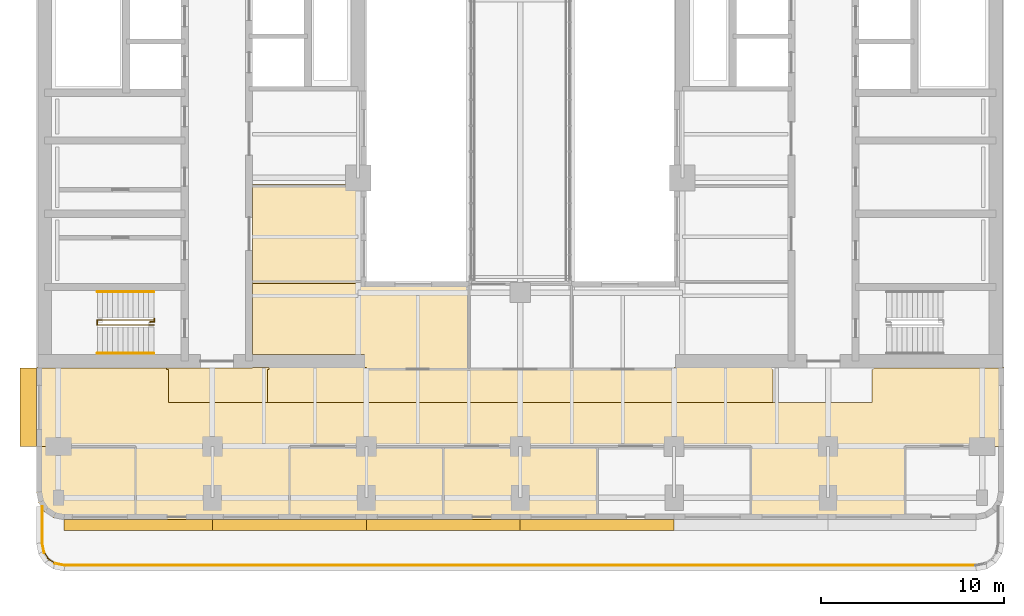
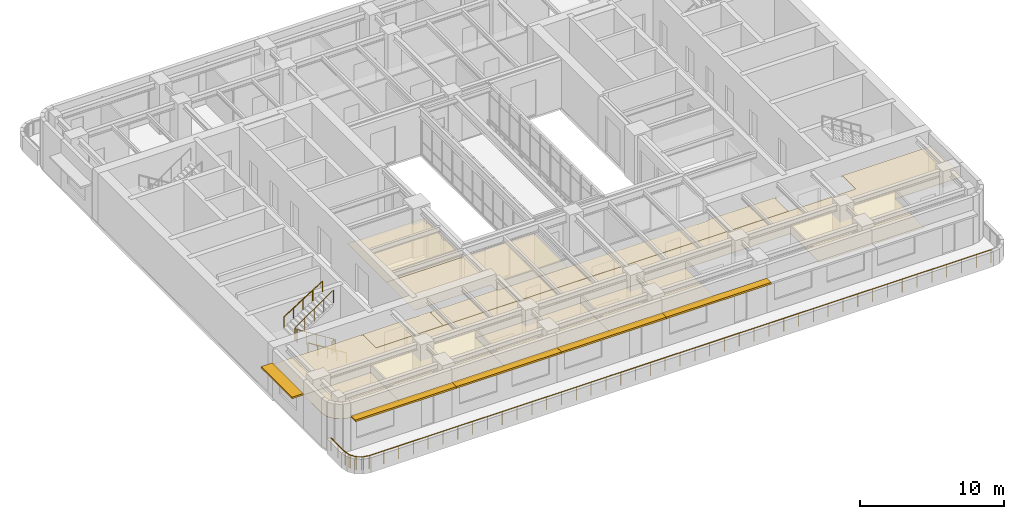
# One storey, part 12 of 15: 10 railings, 8 coverings, 5 shading devices.
"""IFC4 building model written with IfcOpenShell, lengths in metres."""

import ifcopenshell
import ifcopenshell.guid

model = None  # the IFC model being written
_history = None  # IfcOwnerHistory: only IFC2X3 demands one
_inside = {}  # id of a spatial element -> (the spatial element, [elements in it])
_under = {}  # id of a project, library or spatial element -> (it, [spatial elements below it])
_declared = {}  # id of a project -> (the project, [libraries it declares])
_typed = {}  # id of a type object -> (the type object, [elements of that type])
_made_of = {}  # id of a material, layer set ... -> (it, [elements and type objects made of it])


def new_model(schema):
    """Start an empty IFC model of exactly this schema.

    Asked for "IFC4X3", IfcOpenShell would pick the latest addendum, in which some entities
    have other attributes; the version numbers below select the first issue.
    IFC2X3 requires an IfcOwnerHistory on every rooted entity: one is made here for all.
    """
    global model, _history
    if schema == "IFC4X3":
        model = ifcopenshell.file(schema_version=(4, 3, 0, 0))
    else:
        model = ifcopenshell.file(schema=schema)
    _inside.clear()
    _under.clear()
    _declared.clear()
    _typed.clear()
    _made_of.clear()
    _history = None
    if model.schema == "IFC2X3":
        org = make("IfcOrganization", Name="unknown")
        user = make(
            "IfcPersonAndOrganization",
            ThePerson=make("IfcPerson", FamilyName="unknown"),
            TheOrganization=org,
        )
        app = make(
            "IfcApplication",
            ApplicationDeveloper=org,
            Version="unknown",
            ApplicationFullName="unknown",
            ApplicationIdentifier="unknown",
        )
        _history = make(
            "IfcOwnerHistory",
            OwningUser=user,
            OwningApplication=app,
            ChangeAction="ADDED",
            CreationDate=0,
        )
    return model


def make(cls, **values):
    """One entity of the class cls with the attributes given. An attribute that is None is left unset."""
    return model.create_entity(
        cls, **{name: value for name, value in values.items() if value is not None}
    )


def rooted(cls, **values):
    """An entity with a GlobalId (a new one), such as an element, a storey or a relation."""
    return make(cls, GlobalId=ifcopenshell.guid.new(), OwnerHistory=_history, **values)


def si_unit(unit_type, name, prefix=None):
    """IfcSIUnit, for example si_unit("LENGTHUNIT", "METRE", prefix="MILLI")."""
    return make("IfcSIUnit", UnitType=unit_type, Prefix=prefix, Name=name)


def assignment(units):
    """IfcUnitAssignment: the units of a project."""
    return None if units is None else make("IfcUnitAssignment", Units=units)


def point(xyz):
    """IfcCartesianPoint."""
    return None if xyz is None else make("IfcCartesianPoint", Coordinates=xyz)


def direction(xyz):
    """IfcDirection."""
    return None if xyz is None else make("IfcDirection", DirectionRatios=xyz)


def frame(location, z_axis=None, x_axis=None):
    """IfcAxis2Placement3D, a coordinate frame: its origin and axes. An axis left out is left unset."""
    return make(
        "IfcAxis2Placement3D",
        Location=point(location),
        Axis=direction(z_axis),
        RefDirection=direction(x_axis),
    )


def frame_2d(location, x_axis=None):
    """IfcAxis2Placement2D, a coordinate frame in the plane: its origin and x axis."""
    return make(
        "IfcAxis2Placement2D", Location=point(location), RefDirection=direction(x_axis)
    )


def origin():
    """The frame at (0, 0, 0) with its axes left unset."""
    return frame((0.0, 0.0, 0.0))


def origin_2d():
    """The frame at (0, 0) in the plane with its x axis left unset."""
    return frame_2d((0.0, 0.0))


def place(relative_to, where):
    """IfcLocalPlacement: puts the frame where relative to a parent placement (None: the world)."""
    return make(
        "IfcLocalPlacement", PlacementRelTo=relative_to, RelativePlacement=where
    )


def context(
    kind, dimensions, precision=None, world=None, true_north=None, identifier=None
):
    """IfcGeometricRepresentationContext, for example the 3D "Model" context."""
    return make(
        "IfcGeometricRepresentationContext",
        ContextIdentifier=identifier,
        ContextType=kind,
        CoordinateSpaceDimension=dimensions,
        Precision=precision,
        WorldCoordinateSystem=world,
        TrueNorth=true_north,
    )


def subcontext(parent, identifier, kind, view, scale=None):
    """IfcGeometricRepresentationSubContext, for example "Body" below "Model"."""
    return make(
        "IfcGeometricRepresentationSubContext",
        ContextIdentifier=identifier,
        ContextType=kind,
        ParentContext=parent,
        TargetScale=scale,
        TargetView=view,
    )


def project(units=None, contexts=None):
    """IfcProject with its units and contexts."""
    return rooted(
        "IfcProject",
        Name="project",
        RepresentationContexts=contexts,
        UnitsInContext=assignment(units),
    )


def spatial(cls, under=None, at=None, **own):
    """A site, building, storey or space (cls), placed at a placement, below another one or the project."""
    s = rooted(cls, ObjectPlacement=at, **own)
    if under is not None:
        _under.setdefault(under.id(), (under, []))[1].append(s)
    return s


def polyline(points):
    """IfcPolyline through the points."""
    return make("IfcPolyline", Points=[point(p) for p in points])


def profile(cls, at=None, kind="AREA", **sizes):
    """A parametric profile (cls). Its sizes go by their IFC names, for example OverallWidth=200.0."""
    return make(cls, ProfileType=kind, Position=at, **sizes)


def rectangle(**sizes):
    """IfcRectangleProfileDef."""
    return profile("IfcRectangleProfileDef", **sizes)


def circle(**sizes):
    """IfcCircleProfileDef."""
    return profile("IfcCircleProfileDef", **sizes)


def outline(outer, holes=None, kind="AREA"):
    """IfcArbitraryClosedProfileDef: a profile drawn as a closed curve; with holes, ...WithVoids."""
    if holes is None:
        return make("IfcArbitraryClosedProfileDef", ProfileType=kind, OuterCurve=outer)
    return make(
        "IfcArbitraryProfileDefWithVoids",
        ProfileType=kind,
        OuterCurve=outer,
        InnerCurves=holes,
    )


def extrude(swept, where, along, depth):
    """IfcExtrudedAreaSolid: the profile swept, set in the frame where, extruded along a direction by depth."""
    return make(
        "IfcExtrudedAreaSolid",
        SweptArea=swept,
        Position=where,
        ExtrudedDirection=direction(along),
        Depth=depth,
    )


def shape(context_of_items, identifier, shape_type, items):
    """IfcShapeRepresentation: the items that make up one representation, for example the "Body"."""
    return make(
        "IfcShapeRepresentation",
        ContextOfItems=context_of_items,
        RepresentationIdentifier=identifier,
        RepresentationType=shape_type,
        Items=items,
    )


def material(Name=None, Category=None):
    """IfcMaterial."""
    return make("IfcMaterial", Name=Name, Category=Category)


def layer(
    of_material, thickness, ventilated=None, Name=None, Category=None, Priority=None
):
    """IfcMaterialLayer: one layer of a wall or slab, of a material (None: an air gap)."""
    return make(
        "IfcMaterialLayer",
        Material=of_material,
        LayerThickness=thickness,
        IsVentilated=ventilated,
        Name=Name,
        Category=Category,
        Priority=Priority,
    )


def layer_set(layers, Name=None):
    """IfcMaterialLayerSet."""
    return make("IfcMaterialLayerSet", MaterialLayers=layers, LayerSetName=Name)


def made_of(thing, what):
    """Note that an element or type object is made of a material, layer set ...; save() writes the relation."""
    if what is not None:
        _made_of.setdefault(what.id(), (what, []))[1].append(thing)
    return thing


def type_object(cls, material=None, **own):
    """A type object (cls), such as IfcWallType, which elements share."""
    return made_of(rooted(cls, **own), material)


def element(
    cls,
    number,
    at=None,
    inside=None,
    cuts=None,
    type_object=None,
    material=None,
    context=None,
    identifier="Body",
    shape_type=None,
    held_by="IfcProductDefinitionShape",
    body=None,
    shapes=None,
    **own,
):
    """One element of the class cls, such as IfcWall. Its Tag is "e" and its number.

    at: its placement. inside: the storey or other place that contains it. cuts: it is an
    opening in that element (IfcRelVoidsElement). A single representation is given by context,
    identifier, shape_type and body (its items); several are given by shapes. held_by: the class
    of the entity that holds the representations. save() writes the other relations.
    """
    e = rooted(cls, Tag="e%d" % number, ObjectPlacement=at, **own)
    if body is not None:
        shapes = [shape(context, identifier, shape_type, body)]
    if shapes is not None:
        e.Representation = make(held_by, Representations=shapes)
    if inside is not None:
        _inside.setdefault(inside.id(), (inside, []))[1].append(e)
    if cuts is not None:
        rooted(
            "IfcRelVoidsElement", RelatingBuildingElement=cuts, RelatedOpeningElement=e
        )
    if type_object is not None:
        _typed.setdefault(type_object.id(), (type_object, []))[1].append(e)
    return made_of(e, material)


def aggregate(whole, parts):
    """IfcRelAggregates: a whole, such as a stair, and the parts it consists of."""
    return rooted("IfcRelAggregates", RelatingObject=whole, RelatedObjects=parts)


def save(model, path):
    """Write the relations noted so far, then the file.

    IfcRelAggregates (storeys below a building ...), IfcRelContainedInSpatialStructure (elements
    in a storey), IfcRelDefinesByType, IfcRelAssociatesMaterial and IfcRelDeclares: one each for
    every whole, place, type object, material and project.
    """
    for whole, parts in _under.values():
        aggregate(whole, parts)
    for where, things in _inside.values():
        rooted(
            "IfcRelContainedInSpatialStructure",
            RelatedElements=things,
            RelatingStructure=where,
        )
    for kind, things in _typed.values():
        rooted("IfcRelDefinesByType", RelatedObjects=things, RelatingType=kind)
    for what, things in _made_of.values():
        rooted("IfcRelAssociatesMaterial", RelatedObjects=things, RelatingMaterial=what)
    for by, libraries in _declared.values():
        rooted("IfcRelDeclares", RelatingContext=by, RelatedDefinitions=libraries)
    model.write(path)


model = new_model("IFC4")

# Units and contexts
model_context = context("Model", 3, precision=1e-05, world=origin(), true_north=direction((0.0, 1.0)))
body_context = subcontext(model_context, "Body", "Model", "MODEL_VIEW")
ifc_project = project(units=[si_unit("LENGTHUNIT", "METRE"), si_unit("AREAUNIT", "SQUARE_METRE"), si_unit("VOLUMEUNIT", "CUBIC_METRE"), si_unit("PLANEANGLEUNIT", "RADIAN"), si_unit("MASSUNIT", "GRAM", prefix="KILO")], contexts=[model_context])

# Site, building, storey
site_placement = place(None, origin())
site = spatial("IfcSite", under=ifc_project, at=site_placement, CompositionType="ELEMENT")
building_placement = place(site_placement, origin())
building = spatial("IfcBuilding", under=site, at=building_placement, Name="Claustro Exchange Tower", CompositionType="ELEMENT")
storey_placement = place(building_placement, frame((0.0, 0.0, 173.39990234375)))
storey = spatial("IfcBuildingStorey", under=building, at=storey_placement, Name="L39", CompositionType="ELEMENT", Elevation=173.39990234375)

# Coverings
ifc_material_1 = material(Name="Perforated metal ceiling tiles", Category="steel")
ifc_layer_1 = layer(ifc_material_1, 0.030029296875)
ifc_layer_set_1 = layer_set([ifc_layer_1], Name="Perforated metal ceiling tiles")
covering_type_1 = type_object("IfcCoveringType", Name="CL1 suspended metal ceiling", PredefinedType="CEILING", material=ifc_layer_set_1)
covering_1_placement = place(storey_placement, frame((0.0, 0.0, 2.800048828125)))
element("IfcCovering", 1, at=covering_1_placement, inside=storey, type_object=covering_type_1, Name="Ceiling CL1 L39-08", PredefinedType="CEILING", context=body_context, shape_type="SweptSolid", body=[
    extrude(outline(polyline([(11.39990234375, 10.800048828125), (11.39990234375, 12.60009765625), (11.4951171875, 12.60009765625), (11.4951171875, 12.695068359375), (10.60009765625, 12.695068359375), (10.60009765625, 12.675048828125), (5.905029296875, 12.675048828125), (5.905029296875, 12.60009765625), (6.0, 12.60009765625), (6.0, 10.800048828125), (11.39990234375, 10.800048828125)])), origin(), (0.0, 0.0, 1.0), 0.030029296875),
])
covering_2_placement = place(storey_placement, frame((0.0, 0.0, 2.800048828125)))
element("IfcCovering", 2, at=covering_2_placement, inside=storey, type_object=covering_type_1, Name="Ceiling CL1 L39-09", PredefinedType="CEILING", context=body_context, shape_type="SweptSolid", body=[
    extrude(outline(polyline([(11.39990234375, 12.60009765625), (11.39990234375, 10.800048828125), (39.0, 10.800048828125), (39.0, 12.60009765625), (39.094970703125, 12.60009765625), (39.094970703125, 12.695068359375), (33.60009765625, 12.695068359375), (33.60009765625, 12.60009765625), (16.800048828125, 12.60009765625), (16.800048828125, 12.695068359375), (11.304931640625, 12.695068359375), (11.304931640625, 12.60009765625), (11.39990234375, 12.60009765625)])), origin(), (0.0, 0.0, 1.0), 0.030029296875),
])
ifc_material_2 = material(Name="Gypsum board ceiling", Category="gypsum board")
ifc_layer_2 = layer(ifc_material_2, 0.02490234375)
ifc_layer_set_2 = layer_set([ifc_layer_2], Name="Gypsum board ceiling")
covering_type_2 = type_object("IfcCoveringType", Name="CL2 plasterboard ceiling", PredefinedType="CEILING", material=ifc_layer_set_2)
covering_3_placement = place(storey_placement, frame((0.0, 0.0, 2.800048828125)))
element("IfcCovering", 3, at=covering_3_placement, inside=storey, type_object=covering_type_2, Name="Ceiling CL2 L39-02", PredefinedType="CEILING", context=body_context, shape_type="SweptSolid", body=[
    extrude(outline(polyline([(-1.199951171875, 5.89990234375), (-1.085693359375, 5.325927734375), (-0.7607421875, 4.83935546875), (-0.27392578125, 4.51416015625), (0.300048828125, 4.39990234375), (4.199951171875, 4.39990234375), (4.199951171875, 8.39990234375), (-1.199951171875, 8.39990234375), (-1.199951171875, 5.89990234375)])), origin(), (0.0, 0.0, 1.0), 0.025146484375),
])
covering_4_placement = place(storey_placement, frame((0.0, 0.0, 2.800048828125)))
element("IfcCovering", 4, at=covering_4_placement, inside=storey, type_object=covering_type_2, Name="Ceiling CL2 L39-03", PredefinedType="CEILING", context=body_context, shape_type="SweptSolid", body=[
    extrude(outline(polyline([(12.60009765625, 4.39990234375), (21.0, 4.39990234375), (21.0, 8.39990234375), (12.60009765625, 8.39990234375), (12.60009765625, 4.39990234375)])), origin(), (0.0, 0.0, 1.0), 0.025146484375),
])
covering_5_placement = place(storey_placement, frame((0.0, 0.0, 2.800048828125)))
element("IfcCovering", 5, at=covering_5_placement, inside=storey, type_object=covering_type_2, Name="Ceiling CL2 L39-04", PredefinedType="CEILING", context=body_context, shape_type="SweptSolid", body=[
    extrude(outline(polyline([(21.0, 4.39990234375), (29.39990234375, 4.39990234375), (29.39990234375, 8.39990234375), (21.0, 8.39990234375), (21.0, 4.39990234375)])), origin(), (0.0, 0.0, 1.0), 0.025146484375),
])
covering_6_placement = place(storey_placement, frame((0.0, 0.0, 2.800048828125)))
element("IfcCovering", 6, at=covering_6_placement, inside=storey, type_object=covering_type_2, Name="Ceiling CL2 L39-07", PredefinedType="CEILING", context=body_context, shape_type="SweptSolid", body=[
    extrude(outline(polyline([(51.60009765625, 8.39990234375), (51.60009765625, 12.695068359375), (51.52490234375, 12.695068359375), (51.52490234375, 12.675048828125), (44.304931640625, 12.675048828125), (44.304931640625, 12.60009765625), (44.39990234375, 12.60009765625), (44.39990234375, 10.800048828125), (6.0, 10.800048828125), (6.0, 12.60009765625), (6.094970703125, 12.60009765625), (6.094970703125, 12.675048828125), (-1.125, 12.675048828125), (-1.125, 12.695068359375), (-1.199951171875, 12.695068359375), (-1.199951171875, 8.39990234375), (4.199951171875, 8.39990234375), (4.199951171875, 4.39990234375), (12.60009765625, 4.39990234375), (12.60009765625, 8.39990234375), (37.800048828125, 8.39990234375), (37.800048828125, 4.39990234375), (46.199951171875, 4.39990234375), (46.199951171875, 8.39990234375), (51.60009765625, 8.39990234375)])), origin(), (0.0, 0.0, 1.0), 0.025146484375),
])
covering_7_placement = place(storey_placement, frame((0.0, 0.0, 2.800048828125)))
element("IfcCovering", 7, at=covering_7_placement, inside=storey, type_object=covering_type_2, Name="Ceiling CL2 L39-12", PredefinedType="CEILING", context=body_context, shape_type="SweptSolid", body=[
    extrude(outline(polyline([(22.39990234375, 17.39990234375), (16.800048828125, 17.39990234375), (16.800048828125, 17.4951171875), (10.60009765625, 17.4951171875), (10.60009765625, 13.405029296875), (16.705078125, 13.405029296875), (16.705078125, 12.60009765625), (22.39990234375, 12.60009765625), (22.39990234375, 17.39990234375)])), origin(), (0.0, 0.0, 1.0), 0.025146484375),
])
covering_8_placement = place(storey_placement, frame((0.0, 0.0, 2.800048828125)))
element("IfcCovering", 8, at=covering_8_placement, inside=storey, type_object=covering_type_2, Name="Ceiling CL2 L39-14", PredefinedType="CEILING", context=body_context, shape_type="SweptSolid", body=[
    extrude(outline(polyline([(10.60009765625, 22.695068359375), (10.60009765625, 17.304931640625), (16.800048828125, 17.304931640625), (16.800048828125, 22.695068359375), (10.60009765625, 22.695068359375)])), origin(), (0.0, 0.0, 1.0), 0.025146484375),
])

# Railings
ifc_material_3 = material(Name="Steel balustrade, painted", Category="steel")
railing_type_1 = type_object("IfcRailingType", Name="GR2 1100 steel stair guard", PredefinedType="GUARDRAIL", material=ifc_material_3)
railing_1_placement = place(storey_placement, frame((5.199951171875, 15.02490234375, 0.175048828125)))
element("IfcRailing", 9, at=railing_1_placement, inside=storey, type_object=railing_type_1, Name="Stair well guard GR2 stair STWA L39", PredefinedType="GUARDRAIL", context=body_context, shape_type="SweptSolid", body=[
    extrude(circle(Radius=0.02392578125, at=origin_2d()), frame((0.0, 0.0, 1.076171875), z_axis=(-0.847979421464, 0.0, 0.530029150871), x_axis=(0.0, -1.0, 0.0)), (0.0, 0.0, 1.0), 3.632080078125),
    extrude(circle(Radius=0.02392578125, at=origin_2d()), frame((-3.079833984375, 0.0, 3.0009765625), z_axis=(0.0, 1.0, 0.0), x_axis=(-1.0, 0.0, 0.0)), (0.0, 0.0, 1.0), 0.275146484375),
    extrude(circle(Radius=0.02392578125, at=origin_2d()), frame((-3.079833984375, 0.275146484375, 3.0009765625), z_axis=(0.826201015165, 0.0, 0.563375436579), x_axis=(0.0, 1.0, 0.0)), (0.0, 0.0, 1.0), 3.727783203125),
    extrude(circle(Radius=0.02099609375, at=origin_2d()), origin(), (0.0, 0.0, 1.0), 1.052001953125),
    extrude(circle(Radius=0.02099609375, at=origin_2d()), frame((-0.77001953125, 0.0, 0.481201171875)), (0.0, 0.0, 1.0), 1.052001953125),
    extrude(circle(Radius=0.02099609375, at=origin_2d()), frame((-1.5400390625, 0.0, 0.96240234375)), (0.0, 0.0, 1.0), 1.052001953125),
    extrude(circle(Radius=0.02099609375, at=origin_2d()), frame((-2.309814453125, 0.0, 1.44384765625)), (0.0, 0.0, 1.0), 1.052001953125),
    extrude(circle(Radius=0.02099609375, at=origin_2d()), frame((-3.079833984375, 0.0, 1.925048828125)), (0.0, 0.0, 1.0), 1.052001953125),
    extrude(circle(Radius=0.02099609375, at=origin_2d()), frame((-3.079833984375, 0.275146484375, 1.925048828125)), (0.0, 0.0, 1.0), 1.052001953125),
    extrude(circle(Radius=0.02099609375, at=origin_2d()), frame((-2.309814453125, 0.275146484375, 2.4501953125)), (0.0, 0.0, 1.0), 1.052001953125),
    extrude(circle(Radius=0.02099609375, at=origin_2d()), frame((-1.5400390625, 0.275146484375, 2.97509765625)), (0.0, 0.0, 1.0), 1.052001953125),
    extrude(circle(Radius=0.02099609375, at=origin_2d()), frame((-0.77001953125, 0.275146484375, 3.5)), (0.0, 0.0, 1.0), 1.052001953125),
    extrude(circle(Radius=0.02099609375, at=origin_2d()), frame((0.0, 0.275146484375, 4.025146484375)), (0.0, 0.0, 1.0), 1.052001953125),
])
railing_2_placement = place(storey_placement, frame((5.0, 15.169921875, 0.0)))
element("IfcRailing", 10, at=railing_2_placement, inside=storey, type_object=railing_type_1, Name="Stair guard GR2 STWA L39", PredefinedType="GUARDRAIL", context=body_context, shape_type="SweptSolid", body=[
    extrude(circle(Radius=0.02392578125, at=origin_2d()), frame((0.0, 0.0, 1.076171875), z_axis=(0.0, 1.0, 0.0), x_axis=(-1.0, 0.0, 0.0)), (0.0, 0.0, 1.0), 0.030029296875),
    extrude(circle(Radius=0.02392578125, at=origin_2d()), frame((0.0, 0.030029296875, 1.076171875), z_axis=(1.0, 0.0, 0.0), x_axis=(0.0, 1.0, 0.0)), (0.0, 0.0, 1.0), 0.22509765625),
    extrude(circle(Radius=0.02392578125, at=origin_2d()), frame((0.22509765625, 0.030029296875, 1.076171875), z_axis=(0.0, 1.0, 0.0), x_axis=(-1.0, 0.0, 0.0)), (0.0, 0.0, 1.0), 0.179931640625),
    extrude(circle(Radius=0.02099609375, at=origin_2d()), origin(), (0.0, 0.0, 1.0), 1.052001953125),
    extrude(circle(Radius=0.02099609375, at=origin_2d()), frame((0.0, 0.030029296875, 0.0)), (0.0, 0.0, 1.0), 1.052001953125),
    extrude(circle(Radius=0.02099609375, at=origin_2d()), frame((0.22509765625, 0.030029296875, 0.0)), (0.0, 0.0, 1.0), 1.052001953125),
    extrude(circle(Radius=0.02099609375, at=origin_2d()), frame((0.22509765625, 0.2099609375, 0.0)), (0.0, 0.0, 1.0), 1.052001953125),
])
ifc_material_4 = material(Name="Stainless steel posts and rail, laminated glass infill", Category="steel")
railing_type_2 = type_object("IfcRailingType", Name="GR3 1100 terrace guard railing", PredefinedType="GUARDRAIL", material=ifc_material_4)
railing_3_placement = place(storey_placement, frame((-0.101806640625, 1.971923828125, 0.0)))
element("IfcRailing", 11, at=railing_3_placement, inside=storey, type_object=railing_type_2, Name="Terrace guard GR3 L39", PredefinedType="GUARDRAIL", context=body_context, shape_type="SweptSolid", body=[
    extrude(circle(Radius=0.02392578125, at=origin_2d()), frame((0.0, 0.0, 1.076171875), z_axis=(-0.831407946579, 0.555662511211, 0.0), x_axis=(-0.555662511211, -0.831407946579, 0.0)), (0.0, 0.0, 1.0), 0.585205078125),
    extrude(circle(Radius=0.02099609375, at=origin_2d()), origin(), (0.0, 0.0, 1.0), 1.052001953125),
    extrude(circle(Radius=0.02099609375, at=origin_2d()), frame((-0.486572265625, 0.3251953125, 0.0)), (0.0, 0.0, 1.0), 1.052001953125),
])
railing_4_placement = place(storey_placement, frame((-0.5029296875, 2.21142578125, 0.0)))
element("IfcRailing", 12, at=railing_4_placement, inside=storey, type_object=railing_type_2, Name="Terrace guard GR3 L39", PredefinedType="GUARDRAIL", context=body_context, shape_type="SweptSolid", body=[
    extrude(circle(Radius=0.02392578125, at=origin_2d()), frame((0.0, 0.0, 1.076171875), z_axis=(-0.555469840741, 0.831536683512, 0.0), x_axis=(-0.831536683512, -0.555469840741, 0.0)), (0.0, 0.0, 1.0), 0.58544921875),
    extrude(circle(Radius=0.02099609375, at=origin_2d()), origin(), (0.0, 0.0, 1.0), 1.052001953125),
    extrude(circle(Radius=0.02099609375, at=origin_2d()), frame((-0.3251953125, 0.48681640625, 0.0)), (0.0, 0.0, 1.0), 1.052001953125),
])
railing_5_placement = place(storey_placement, frame((-0.78173828125, 2.58642578125, 0.0)))
element("IfcRailing", 13, at=railing_5_placement, inside=storey, type_object=railing_type_2, Name="Terrace guard GR3 L39", PredefinedType="GUARDRAIL", context=body_context, shape_type="SweptSolid", body=[
    extrude(circle(Radius=0.02392578125, at=origin_2d()), frame((0.0, 0.0, 1.076171875), z_axis=(-0.195233589627, 0.980756771825, 0.0), x_axis=(-0.980756771825, -0.195233589627, 0.0)), (0.0, 0.0, 1.0), 0.585205078125),
    extrude(circle(Radius=0.02099609375, at=origin_2d()), origin(), (0.0, 0.0, 1.0), 1.052001953125),
    extrude(circle(Radius=0.02099609375, at=origin_2d()), frame((-0.1142578125, 0.573974609375, 0.0)), (0.0, 0.0, 1.0), 1.052001953125),
])
railing_6_placement = place(storey_placement, frame((-0.889892578125, 3.10009765625, 0.0)))
element("IfcRailing", 14, at=railing_6_placement, inside=storey, type_object=railing_type_2, Name="Terrace guard GR3 L39", PredefinedType="GUARDRAIL", context=body_context, shape_type="SweptSolid", body=[
    extrude(circle(Radius=0.02392578125, at=origin_2d()), frame((0.0, 0.0, 1.076171875), z_axis=(0.0, 1.0, 0.0), x_axis=(-1.0, 0.0, 0.0)), (0.0, 0.0, 1.0), 2.023193359375),
    extrude(circle(Radius=0.02099609375, at=origin_2d()), origin(), (0.0, 0.0, 1.0), 1.052001953125),
    extrude(circle(Radius=0.02099609375, at=origin_2d()), frame((0.0, 1.01171875, 0.0)), (0.0, 0.0, 1.0), 1.052001953125),
    extrude(circle(Radius=0.02099609375, at=origin_2d()), frame((0.0, 2.023193359375, 0.0)), (0.0, 0.0, 1.0), 1.052001953125),
])
railing_7_placement = place(storey_placement, frame((50.10009765625, 1.909912109375, 0.0)))
element("IfcRailing", 15, at=railing_7_placement, inside=storey, type_object=railing_type_2, Name="Terrace guard GR3 L39", PredefinedType="GUARDRAIL", context=body_context, shape_type="SweptSolid", body=[
    extrude(circle(Radius=0.02392578125, at=origin_2d()), frame((0.0, 0.0, 1.076171875), z_axis=(-1.0, 0.0, 0.0), x_axis=(0.0, -1.0, 0.0)), (0.0, 0.0, 1.0), 49.800048828125),
    extrude(circle(Radius=0.02099609375, at=origin_2d()), origin(), (0.0, 0.0, 1.0), 1.052001953125),
    extrude(circle(Radius=0.02099609375, at=origin_2d()), frame((-1.185791015625, 0.0, 0.0)), (0.0, 0.0, 1.0), 1.052001953125),
    extrude(circle(Radius=0.02099609375, at=origin_2d()), frame((-2.371337890625, 0.0, 0.0)), (0.0, 0.0, 1.0), 1.052001953125),
    extrude(circle(Radius=0.02099609375, at=origin_2d()), frame((-3.55712890625, 0.0, 0.0)), (0.0, 0.0, 1.0), 1.052001953125),
    extrude(circle(Radius=0.02099609375, at=origin_2d()), frame((-4.742919921875, 0.0, 0.0)), (0.0, 0.0, 1.0), 1.052001953125),
    extrude(circle(Radius=0.02099609375, at=origin_2d()), frame((-5.928466796875, 0.0, 0.0)), (0.0, 0.0, 1.0), 1.052001953125),
    extrude(circle(Radius=0.02099609375, at=origin_2d()), frame((-7.1142578125, 0.0, 0.0)), (0.0, 0.0, 1.0), 1.052001953125),
    extrude(circle(Radius=0.02099609375, at=origin_2d()), frame((-8.300048828125, 0.0, 0.0)), (0.0, 0.0, 1.0), 1.052001953125),
    extrude(circle(Radius=0.02099609375, at=origin_2d()), frame((-9.48583984375, 0.0, 0.0)), (0.0, 0.0, 1.0), 1.052001953125),
    extrude(circle(Radius=0.02099609375, at=origin_2d()), frame((-10.67138671875, 0.0, 0.0)), (0.0, 0.0, 1.0), 1.052001953125),
    extrude(circle(Radius=0.02099609375, at=origin_2d()), frame((-11.857177734375, 0.0, 0.0)), (0.0, 0.0, 1.0), 1.052001953125),
    extrude(circle(Radius=0.02099609375, at=origin_2d()), frame((-13.04296875, 0.0, 0.0)), (0.0, 0.0, 1.0), 1.052001953125),
    extrude(circle(Radius=0.02099609375, at=origin_2d()), frame((-14.228515625, 0.0, 0.0)), (0.0, 0.0, 1.0), 1.052001953125),
    extrude(circle(Radius=0.02099609375, at=origin_2d()), frame((-15.414306640625, 0.0, 0.0)), (0.0, 0.0, 1.0), 1.052001953125),
    extrude(circle(Radius=0.02099609375, at=origin_2d()), frame((-16.60009765625, 0.0, 0.0)), (0.0, 0.0, 1.0), 1.052001953125),
    extrude(circle(Radius=0.02099609375, at=origin_2d()), frame((-17.78564453125, 0.0, 0.0)), (0.0, 0.0, 1.0), 1.052001953125),
    extrude(circle(Radius=0.02099609375, at=origin_2d()), frame((-18.971435546875, 0.0, 0.0)), (0.0, 0.0, 1.0), 1.052001953125),
    extrude(circle(Radius=0.02099609375, at=origin_2d()), frame((-20.1572265625, 0.0, 0.0)), (0.0, 0.0, 1.0), 1.052001953125),
    extrude(circle(Radius=0.02099609375, at=origin_2d()), frame((-21.3427734375, 0.0, 0.0)), (0.0, 0.0, 1.0), 1.052001953125),
    extrude(circle(Radius=0.02099609375, at=origin_2d()), frame((-22.528564453125, 0.0, 0.0)), (0.0, 0.0, 1.0), 1.052001953125),
    extrude(circle(Radius=0.02099609375, at=origin_2d()), frame((-23.71435546875, 0.0, 0.0)), (0.0, 0.0, 1.0), 1.052001953125),
    extrude(circle(Radius=0.02099609375, at=origin_2d()), frame((-24.89990234375, 0.0, 0.0)), (0.0, 0.0, 1.0), 1.052001953125),
    extrude(circle(Radius=0.02099609375, at=origin_2d()), frame((-26.085693359375, 0.0, 0.0)), (0.0, 0.0, 1.0), 1.052001953125),
    extrude(circle(Radius=0.02099609375, at=origin_2d()), frame((-27.271484375, 0.0, 0.0)), (0.0, 0.0, 1.0), 1.052001953125),
    extrude(circle(Radius=0.02099609375, at=origin_2d()), frame((-28.457275390625, 0.0, 0.0)), (0.0, 0.0, 1.0), 1.052001953125),
    extrude(circle(Radius=0.02099609375, at=origin_2d()), frame((-29.642822265625, 0.0, 0.0)), (0.0, 0.0, 1.0), 1.052001953125),
    extrude(circle(Radius=0.02099609375, at=origin_2d()), frame((-30.82861328125, 0.0, 0.0)), (0.0, 0.0, 1.0), 1.052001953125),
    extrude(circle(Radius=0.02099609375, at=origin_2d()), frame((-32.014404296875, 0.0, 0.0)), (0.0, 0.0, 1.0), 1.052001953125),
    extrude(circle(Radius=0.02099609375, at=origin_2d()), frame((-33.199951171875, 0.0, 0.0)), (0.0, 0.0, 1.0), 1.052001953125),
    extrude(circle(Radius=0.02099609375, at=origin_2d()), frame((-34.3857421875, 0.0, 0.0)), (0.0, 0.0, 1.0), 1.052001953125),
    extrude(circle(Radius=0.02099609375, at=origin_2d()), frame((-35.571533203125, 0.0, 0.0)), (0.0, 0.0, 1.0), 1.052001953125),
    extrude(circle(Radius=0.02099609375, at=origin_2d()), frame((-36.757080078125, 0.0, 0.0)), (0.0, 0.0, 1.0), 1.052001953125),
    extrude(circle(Radius=0.02099609375, at=origin_2d()), frame((-37.94287109375, 0.0, 0.0)), (0.0, 0.0, 1.0), 1.052001953125),
    extrude(circle(Radius=0.02099609375, at=origin_2d()), frame((-39.128662109375, 0.0, 0.0)), (0.0, 0.0, 1.0), 1.052001953125),
    extrude(circle(Radius=0.02099609375, at=origin_2d()), frame((-40.314208984375, 0.0, 0.0)), (0.0, 0.0, 1.0), 1.052001953125),
    extrude(circle(Radius=0.02099609375, at=origin_2d()), frame((-41.5, 0.0, 0.0)), (0.0, 0.0, 1.0), 1.052001953125),
    extrude(circle(Radius=0.02099609375, at=origin_2d()), frame((-42.685791015625, 0.0, 0.0)), (0.0, 0.0, 1.0), 1.052001953125),
    extrude(circle(Radius=0.02099609375, at=origin_2d()), frame((-43.87158203125, 0.0, 0.0)), (0.0, 0.0, 1.0), 1.052001953125),
    extrude(circle(Radius=0.02099609375, at=origin_2d()), frame((-45.05712890625, 0.0, 0.0)), (0.0, 0.0, 1.0), 1.052001953125),
    extrude(circle(Radius=0.02099609375, at=origin_2d()), frame((-46.242919921875, 0.0, 0.0)), (0.0, 0.0, 1.0), 1.052001953125),
    extrude(circle(Radius=0.02099609375, at=origin_2d()), frame((-47.4287109375, 0.0, 0.0)), (0.0, 0.0, 1.0), 1.052001953125),
    extrude(circle(Radius=0.02099609375, at=origin_2d()), frame((-48.6142578125, 0.0, 0.0)), (0.0, 0.0, 1.0), 1.052001953125),
    extrude(circle(Radius=0.02099609375, at=origin_2d()), frame((-49.800048828125, 0.0, 0.0)), (0.0, 0.0, 1.0), 1.052001953125),
])
railing_8_placement = place(storey_placement, frame((0.360595703125, 1.904052734375, 0.0)))
element("IfcRailing", 16, at=railing_8_placement, inside=storey, type_object=railing_type_2, Name="Terrace guard GR3 L39", PredefinedType="GUARDRAIL", context=body_context, shape_type="SweptSolid", body=[
    extrude(circle(Radius=0.02392578125, at=origin_2d()), frame((0.0, 0.0, 1.076171875), z_axis=(-0.980756771825, 0.195233589627, 0.0), x_axis=(-0.195233589627, -0.980756771825, 0.0)), (0.0, 0.0, 1.0), 0.585205078125),
    extrude(circle(Radius=0.02099609375, at=origin_2d()), origin(), (0.0, 0.0, 1.0), 1.052001953125),
    extrude(circle(Radius=0.02099609375, at=origin_2d()), frame((-0.573974609375, 0.1142578125, 0.0)), (0.0, 0.0, 1.0), 1.052001953125),
])
ifc_material_5 = material(Name="Stainless steel tube", Category="steel")
railing_type_3 = type_object("IfcRailingType", Name="HR1 900 stair handrail", PredefinedType="HANDRAIL", material=ifc_material_5)
railing_9_placement = place(storey_placement, frame((5.199951171875, 13.485107421875, 0.175048828125)))
element("IfcRailing", 17, at=railing_9_placement, inside=storey, type_object=railing_type_3, Name="Handrail HR1 stair STWA L39", PredefinedType="HANDRAIL", context=body_context, shape_type="SweptSolid", body=[
    extrude(circle(Radius=0.02392578125, at=origin_2d()), frame((0.0, 0.0, 0.8759765625), z_axis=(-0.847979421464, 0.0, 0.530029150871), x_axis=(0.0, -1.0, 0.0)), (0.0, 0.0, 1.0), 3.632080078125),
    extrude(circle(Radius=0.02099609375, at=origin_2d()), origin(), (0.0, 0.0, 1.0), 0.851806640625),
    extrude(circle(Radius=0.02099609375, at=origin_2d()), frame((-0.77001953125, 0.0, 0.481201171875)), (0.0, 0.0, 1.0), 0.851806640625),
    extrude(circle(Radius=0.02099609375, at=origin_2d()), frame((-1.5400390625, 0.0, 0.96240234375)), (0.0, 0.0, 1.0), 0.851806640625),
    extrude(circle(Radius=0.02099609375, at=origin_2d()), frame((-2.309814453125, 0.0, 1.44384765625)), (0.0, 0.0, 1.0), 0.851806640625),
    extrude(circle(Radius=0.02099609375, at=origin_2d()), frame((-3.079833984375, 0.0, 1.925048828125)), (0.0, 0.0, 1.0), 0.851806640625),
])
railing_10_placement = place(storey_placement, frame((2.1201171875, 16.840087890625, 2.275146484375)))
element("IfcRailing", 18, at=railing_10_placement, inside=storey, type_object=railing_type_3, Name="Handrail HR1 stair STWA L39", PredefinedType="HANDRAIL", context=body_context, shape_type="SweptSolid", body=[
    extrude(circle(Radius=0.02392578125, at=origin_2d()), frame((0.0, 0.0, 0.8759765625), z_axis=(0.847979421464, 0.0, 0.530029150871), x_axis=(0.0, 1.0, 0.0)), (0.0, 0.0, 1.0), 3.632080078125),
    extrude(circle(Radius=0.02099609375, at=origin_2d()), origin(), (0.0, 0.0, 1.0), 0.851806640625),
    extrude(circle(Radius=0.02099609375, at=origin_2d()), frame((0.77001953125, 0.0, 0.481201171875)), (0.0, 0.0, 1.0), 0.851806640625),
    extrude(circle(Radius=0.02099609375, at=origin_2d()), frame((1.5400390625, 0.0, 0.96240234375)), (0.0, 0.0, 1.0), 0.851806640625),
    extrude(circle(Radius=0.02099609375, at=origin_2d()), frame((2.309814453125, 0.0, 1.44384765625)), (0.0, 0.0, 1.0), 0.851806640625),
    extrude(circle(Radius=0.02099609375, at=origin_2d()), frame((3.079833984375, 0.0, 1.925048828125)), (0.0, 0.0, 1.0), 0.851806640625),
])

# Shading devices
ifc_material_6 = material(Name="Concrete HA-40 (C40/50), precast, white cement, acid-etched", Category="concrete")
ifc_layer_3 = layer(ifc_material_6, 0.14990234375)
ifc_layer_set_3 = layer_set([ifc_layer_3], Name="Concrete HA-40 (C40/50), precast, white cement, acid-etched")
shading_device_type_1 = type_object("IfcShadingDeviceType", Name="SS1 600 precast concrete SUNSHADE", PredefinedType="SHUTTER", material=ifc_layer_set_3)
for number, where, z_axis, x_axis, name in (
    (19, (29.39990234375, 4.10009765625, 2.800048828125), (0.0, 0.0, 1.0), (-1.0, 0.0, 0.0), "Precast SUNSHADE SS1 L39"),
    (20, (21.0, 4.10009765625, 2.800048828125), (0.0, 0.0, 1.0), (-1.0, 0.0, 0.0), "Precast SUNSHADE SS1 L39"),
    (21, (12.60009765625, 4.10009765625, 2.800048828125), (0.0, 0.0, 1.0), (-1.0, 0.0, 0.0), "Precast SUNSHADE SS1 L39"),
):
    element("IfcShadingDevice", number, at=place(storey_placement, frame(where, z_axis=z_axis, x_axis=x_axis)), inside=storey, type_object=shading_device_type_1, Name=name, PredefinedType="SHUTTER", context=body_context, shape_type="SweptSolid", body=[
        extrude(rectangle(XDim=8.39990234375, YDim=0.60009765625, at=origin_2d()), origin(), (0.0, 0.0, 1.0), 0.14990234375),
    ])
shading_device_1_placement = place(storey_placement, frame((4.357421875, 4.10009765625, 2.800048828125), z_axis=(0.0, 0.0, 1.0), x_axis=(-1.0, 0.0, 0.0)))
element("IfcShadingDevice", 22, at=shading_device_1_placement, inside=storey, type_object=shading_device_type_1, Name="Precast SUNSHADE SS1 L39", PredefinedType="SHUTTER", context=body_context, shape_type="SweptSolid", body=[
    extrude(rectangle(XDim=8.085205078125, YDim=0.60009765625, at=origin_2d()), origin(), (0.0, 0.0, 1.0), 0.14990234375),
])
ifc_material_7 = material(Name="Concrete HA-40 (C40/50), precast, white cement, acid-etched", Category="concrete")
ifc_layer_4 = layer(ifc_material_7, 0.14990234375)
ifc_layer_set_4 = layer_set([ifc_layer_4], Name="Concrete HA-40 (C40/50), precast, white cement, acid-etched")
shading_device_type_2 = type_object("IfcShadingDeviceType", Name="SS2 900 precast concrete SUNSHADE", PredefinedType="SHUTTER", material=ifc_layer_set_4)
shading_device_2_placement = place(storey_placement, frame((-1.64990234375, 10.53759765625, 2.800048828125), z_axis=(0.0, 0.0, 1.0), x_axis=(0.0, 1.0, 0.0)))
element("IfcShadingDevice", 23, at=shading_device_2_placement, inside=storey, type_object=shading_device_type_2, Name="Precast SUNSHADE SS2 L39", PredefinedType="SHUTTER", context=body_context, shape_type="SweptSolid", body=[
    extrude(rectangle(XDim=4.27490234375, YDim=0.89990234375, at=origin_2d()), origin(), (0.0, 0.0, 1.0), 0.14990234375),
])

save(model, "model.ifc")
